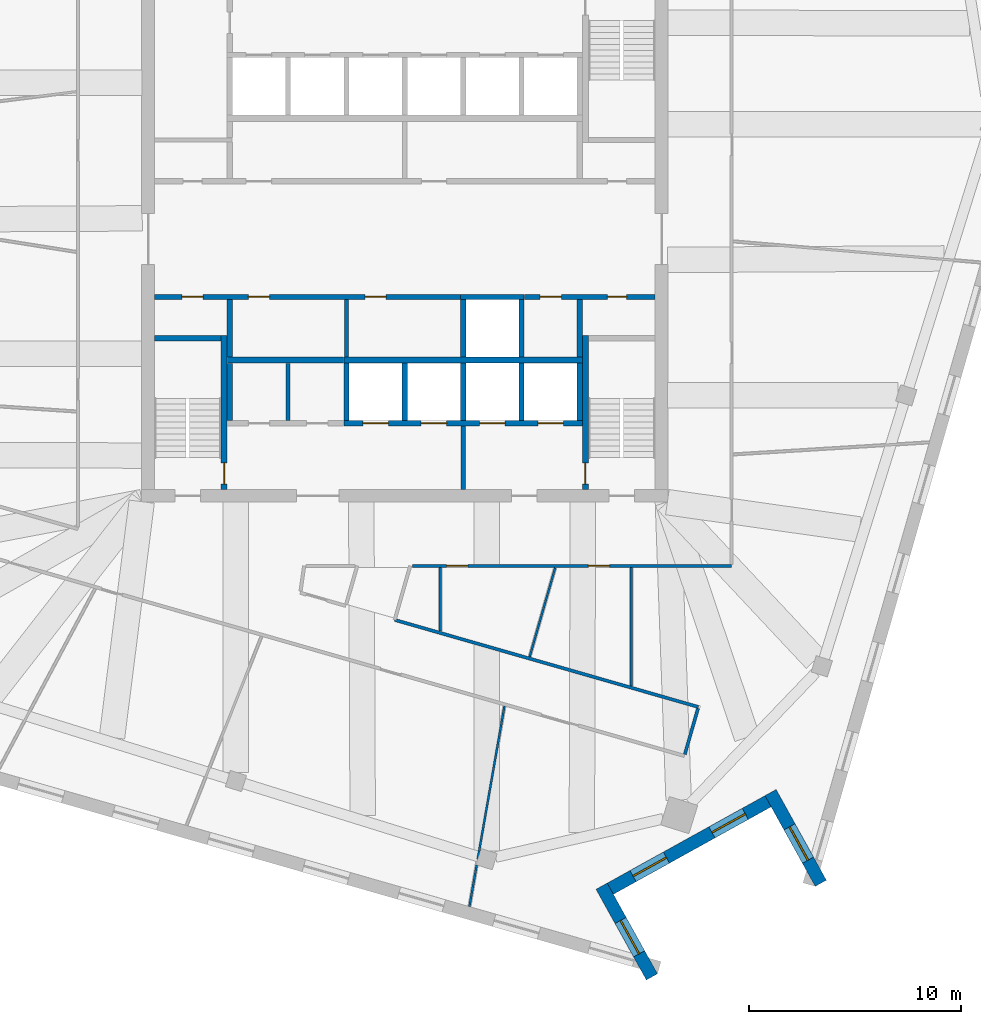
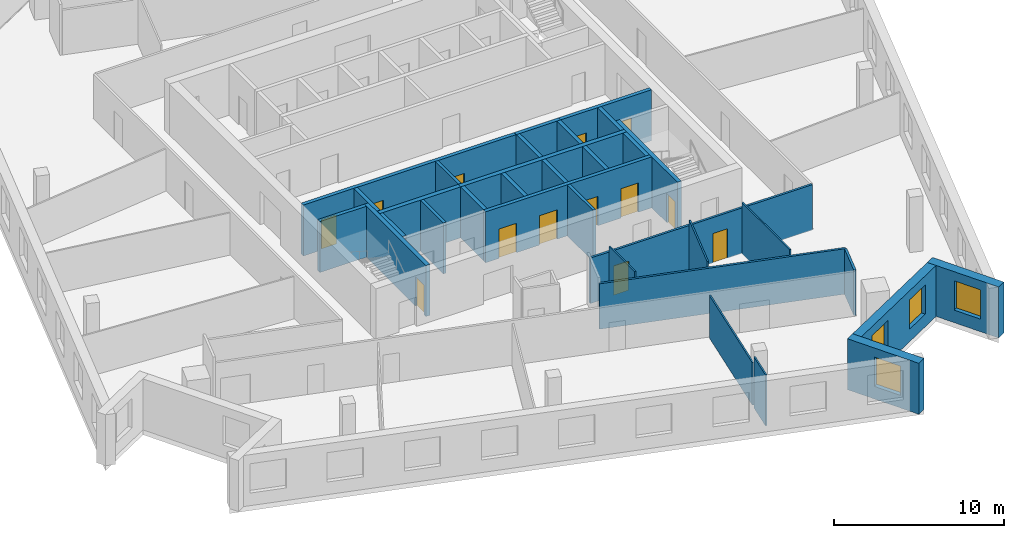
# One storey, part 8 of 15: 33 walls, 13 doors, 4 windows, 17 openings.
"""IFC4 building model written with IfcOpenShell, lengths in metres."""

from ifc_helpers import new_model, si_unit, direction, frame, frame_2d, origin, place, context, subcontext, project, spatial, rectangle, extrude, material, layer, layer_set, type_object, element, fill, save


model = new_model("IFC4")

# Units and contexts
model_context = context("Model", 3, precision=1e-05, world=origin(), true_north=direction((0.0, 1.0)))
body_context = subcontext(model_context, "Body", "Model", "MODEL_VIEW")
ifc_project = project(units=[si_unit("LENGTHUNIT", "METRE"), si_unit("AREAUNIT", "SQUARE_METRE"), si_unit("VOLUMEUNIT", "CUBIC_METRE"), si_unit("PLANEANGLEUNIT", "RADIAN"), si_unit("MASSUNIT", "GRAM", prefix="KILO")], contexts=[model_context])

# Site, building, storey
site_placement = place(None, origin())
site = spatial("IfcSite", under=ifc_project, at=site_placement, CompositionType="ELEMENT")
building_placement = place(site_placement, origin())
building = spatial("IfcBuilding", under=site, at=building_placement, Name="Dilmun Exchange Tower", CompositionType="ELEMENT")
storey_placement = place(building_placement, frame((0.0, 0.0, 324.5)))
storey = spatial("IfcBuildingStorey", under=building, at=storey_placement, Name="L77", CompositionType="ELEMENT", Elevation=324.5)

# Walls
ifc_material_1 = material(Name="Concrete C40/50", Category="concrete")
ifc_layer_1 = layer(ifc_material_1, 0.199951171875)
ifc_layer_set_1 = layer_set([ifc_layer_1], Name="Concrete C40/50")
wall_type_1 = type_object("IfcWallType", Name="Core partition wall 200", PredefinedType="PARTITIONING", material=ifc_layer_set_1)
wall_1_placement = place(storey_placement, frame((2.75, -11.794921875, 0.0), z_axis=(0.0, 0.0, 1.0), x_axis=(0.0, 1.0, 0.0)))
element("IfcWall", 1, at=wall_1_placement, inside=storey, type_object=wall_type_1, Name="L77 core partition wall 01", PredefinedType="PARTITIONING", context=body_context, shape_type="SweptSolid", body=[
    extrude(rectangle(XDim=2.989990234375, YDim=0.199951171875, at=frame_2d((1.4951171875, 0.0))), origin(), (0.0, 0.0, 1.0), 3.64990234375),
])
for number, where, z_axis, x_axis, name in (
    (2, (-5.5, -8.544921875, 0.0), (0.0, 0.0, 1.0), (0.0, 1.0, 0.0), "L77 core partition wall 04"),
    (3, (-2.75, -5.544921875, 0.0), (0.0, 0.0, 1.0), (0.0, 1.0, 0.0), "L77 core partition wall 07"),
):
    element("IfcWall", number, at=place(storey_placement, frame(where, z_axis=z_axis, x_axis=x_axis)), inside=storey, type_object=wall_type_1, Name=name, PredefinedType="PARTITIONING", context=body_context, shape_type="SweptSolid", body=[
        extrude(rectangle(XDim=2.68994140625, YDim=0.199951171875, at=frame_2d((1.344970703125, 0.0))), origin(), (0.0, 0.0, 1.0), 3.64990234375),
    ])
ifc_layer_2 = layer(ifc_material_1, 0.25)
ifc_layer_set_2 = layer_set([ifc_layer_2], Name="Concrete C40/50")
wall_type_2 = type_object("IfcWallType", Name="Core partition wall 250", PredefinedType="PARTITIONING", material=ifc_layer_set_2)
for number, where, z_axis, x_axis, name in (
    (4, (-8.25, -8.544921875, 0.0), (0.0, 0.0, 1.0), (0.0, 1.0, 0.0), "L77 core partition wall 03"),
    (5, (-8.25, -5.544921875, 0.0), (0.0, 0.0, 1.0), (0.0, 1.0, 0.0), "L77 core partition wall 06"),
    (6, (8.25, -5.544921875, 0.0), (0.0, 0.0, 1.0), (0.0, 1.0, 0.0), "L77 core partition wall 08"),
):
    element("IfcWall", number, at=place(storey_placement, frame(where, z_axis=z_axis, x_axis=x_axis)), inside=storey, type_object=wall_type_2, Name=name, PredefinedType="PARTITIONING", context=body_context, shape_type="SweptSolid", body=[
        extrude(rectangle(XDim=2.68994140625, YDim=0.25, at=frame_2d((1.344970703125, 0.0))), origin(), (0.0, 0.0, 1.0), 3.64990234375),
    ])

# Wall, openings, doors
wall_2_placement = place(storey_placement, frame((-11.794921875, -2.72509765625, 0.0), z_axis=(0.0, 0.0, 1.0), x_axis=(1.0, 0.0, 0.0)))
wall_2 = element("IfcWall", 7, at=wall_2_placement, inside=storey, type_object=wall_type_2, Name="L77 core partition wall 09", PredefinedType="PARTITIONING", context=body_context, shape_type="SweptSolid", body=[
    extrude(rectangle(XDim=14.4150390625, YDim=0.25, at=frame_2d((7.20751953125, 0.0))), origin(), (0.0, 0.0, 1.0), 3.64990234375),
])
opening_1_placement = place(wall_2_placement, frame((1.294921875, 0.0, 0.0)))
opening_1 = element("IfcOpeningElement", 8, at=opening_1_placement, cuts=wall_2, Name="Opening CD4", PredefinedType="OPENING", context=body_context, shape_type="SweptSolid", body=[
    extrude(rectangle(XDim=1.0, YDim=2.10009765625, at=frame_2d((0.5, 1.050048828125))), frame((0.0, 0.135009765625, 0.0), z_axis=(0.0, -1.0, 0.0), x_axis=(1.0, 0.0, 0.0)), (0.0, 0.0, 1.0), 0.27001953125),
])
opening_2_placement = place(wall_2_placement, frame((4.419921875, 0.0, 0.0)))
opening_2 = element("IfcOpeningElement", 9, at=opening_2_placement, cuts=wall_2, Name="Opening CD4", PredefinedType="OPENING", context=body_context, shape_type="SweptSolid", body=[
    extrude(rectangle(XDim=1.0, YDim=2.10009765625, at=frame_2d((0.5, 1.050048828125))), frame((0.0, 0.135009765625, 0.0), z_axis=(0.0, -1.0, 0.0), x_axis=(1.0, 0.0, 0.0)), (0.0, 0.0, 1.0), 0.27001953125),
])
opening_3_placement = place(wall_2_placement, frame((9.919921875, 0.0, 0.0)))
opening_3 = element("IfcOpeningElement", 10, at=opening_3_placement, cuts=wall_2, Name="Opening CD4", PredefinedType="OPENING", context=body_context, shape_type="SweptSolid", body=[
    extrude(rectangle(XDim=1.0, YDim=2.10009765625, at=frame_2d((0.5, 1.050048828125))), frame((0.0, 0.135009765625, 0.0), z_axis=(0.0, -1.0, 0.0), x_axis=(1.0, 0.0, 0.0)), (0.0, 0.0, 1.0), 0.27001953125),
])
ifc_material_2 = material(Name="Fire-rated steel door set", Category="steel")
door_type_1 = type_object("IfcDoorType", Name="Core room door 1000x2100", OperationType="SINGLE_SWING_LEFT", PredefinedType="DOOR", material=ifc_material_2)
door_1_placement = place(opening_1_placement, origin())
door_1 = element("IfcDoor", 11, at=door_1_placement, inside=storey, type_object=door_type_1, Name="L77 door Accessible WC", OperationType="SINGLE_SWING_RIGHT", OverallHeight=2.10009765625, OverallWidth=1.0, PredefinedType="DOOR", context=body_context, shape_type="SweptSolid", body=[
    extrude(rectangle(XDim=1.0, YDim=2.10009765625, at=frame_2d((0.5, 1.050048828125))), frame((0.0, 0.02490234375, 0.0), z_axis=(0.0, -1.0, 0.0), x_axis=(1.0, 0.0, 0.0)), (0.0, 0.0, 1.0), 0.050048828125),
])
fill(opening_1, door_1)
door_2_placement = place(opening_2_placement, origin())
door_2 = element("IfcDoor", 12, at=door_2_placement, inside=storey, type_object=door_type_1, Name="L77 door Mechanical room", OperationType="SINGLE_SWING_RIGHT", OverallHeight=2.10009765625, OverallWidth=1.0, PredefinedType="DOOR", context=body_context, shape_type="SweptSolid", body=[
    extrude(rectangle(XDim=1.0, YDim=2.10009765625, at=frame_2d((0.5, 1.050048828125))), frame((0.0, 0.02490234375, 0.0), z_axis=(0.0, -1.0, 0.0), x_axis=(1.0, 0.0, 0.0)), (0.0, 0.0, 1.0), 0.050048828125),
])
fill(opening_2, door_2)
door_3_placement = place(opening_3_placement, origin())
door_3 = element("IfcDoor", 13, at=door_3_placement, inside=storey, type_object=door_type_1, Name="L77 door Tenant services room", OperationType="SINGLE_SWING_RIGHT", OverallHeight=2.10009765625, OverallWidth=1.0, PredefinedType="DOOR", context=body_context, shape_type="SweptSolid", body=[
    extrude(rectangle(XDim=1.0, YDim=2.10009765625, at=frame_2d((0.5, 1.050048828125))), frame((0.0, 0.02490234375, 0.0), z_axis=(0.0, -1.0, 0.0), x_axis=(1.0, 0.0, 0.0)), (0.0, 0.0, 1.0), 0.050048828125),
])
fill(opening_3, door_3)

wall_3_placement = place(storey_placement, frame((5.6298828125, -2.72509765625, 0.0), z_axis=(0.0, 0.0, 1.0), x_axis=(1.0, 0.0, 0.0)))
wall_3 = element("IfcWall", 14, at=wall_3_placement, inside=storey, type_object=wall_type_2, Name="L77 core partition wall 10", PredefinedType="PARTITIONING", context=body_context, shape_type="SweptSolid", body=[
    extrude(rectangle(XDim=6.1650390625, YDim=0.25, at=frame_2d((3.08251953125, 0.0))), origin(), (0.0, 0.0, 1.0), 3.64990234375),
])
opening_4_placement = place(wall_3_placement, frame((0.7451171875, 0.0, 0.0)))
opening_4 = element("IfcOpeningElement", 15, at=opening_4_placement, cuts=wall_3, Name="Opening CD4", PredefinedType="OPENING", context=body_context, shape_type="SweptSolid", body=[
    extrude(rectangle(XDim=1.0, YDim=2.10009765625, at=frame_2d((0.5, 1.050048828125))), frame((0.0, 0.135009765625, 0.0), z_axis=(0.0, -1.0, 0.0), x_axis=(1.0, 0.0, 0.0)), (0.0, 0.0, 1.0), 0.27001953125),
])
opening_5_placement = place(wall_3_placement, frame((3.919921875, 0.0, 0.0)))
opening_5 = element("IfcOpeningElement", 16, at=opening_5_placement, cuts=wall_3, Name="Opening CD6", PredefinedType="OPENING", context=body_context, shape_type="SweptSolid", body=[
    extrude(rectangle(XDim=0.89990234375, YDim=2.10009765625, at=frame_2d((0.449951171875, 1.050048828125))), frame((0.0, 0.135009765625, 0.0), z_axis=(0.0, -1.0, 0.0), x_axis=(1.0, 0.0, 0.0)), (0.0, 0.0, 1.0), 0.27001953125),
])
door_4_placement = place(opening_4_placement, origin())
door_4 = element("IfcDoor", 17, at=door_4_placement, inside=storey, type_object=door_type_1, Name="L77 door Cleaners' store", OperationType="SINGLE_SWING_RIGHT", OverallHeight=2.10009765625, OverallWidth=1.0, PredefinedType="DOOR", context=body_context, shape_type="SweptSolid", body=[
    extrude(rectangle(XDim=1.0, YDim=2.10009765625, at=frame_2d((0.5, 1.050048828125))), frame((0.0, 0.02490234375, 0.0), z_axis=(0.0, -1.0, 0.0), x_axis=(1.0, 0.0, 0.0)), (0.0, 0.0, 1.0), 0.050048828125),
])
fill(opening_4, door_4)
door_type_2 = type_object("IfcDoorType", Name="Core room door 900x2100", OperationType="SINGLE_SWING_LEFT", PredefinedType="DOOR", material=ifc_material_2)
door_5_placement = place(opening_5_placement, origin())
door_5 = element("IfcDoor", 18, at=door_5_placement, inside=storey, type_object=door_type_2, Name="L77 door Comms riser", OperationType="SINGLE_SWING_RIGHT", OverallHeight=2.10009765625, OverallWidth=0.89990234375, PredefinedType="DOOR", context=body_context, shape_type="SweptSolid", body=[
    extrude(rectangle(XDim=0.89990234375, YDim=2.10009765625, at=frame_2d((0.449951171875, 1.050048828125))), frame((0.0, 0.02490234375, 0.0), z_axis=(0.0, -1.0, 0.0), x_axis=(1.0, 0.0, 0.0)), (0.0, 0.0, 1.0), 0.050048828125),
])
fill(opening_5, door_5)

# Walls
ifc_layer_3 = layer(ifc_material_1, 0.300048828125)
ifc_layer_set_3 = layer_set([ifc_layer_3], Name="Concrete C40/50")
wall_type_3 = type_object("IfcWallType", Name="Core partition wall 300", PredefinedType="PARTITIONING", material=ifc_layer_set_3)
wall_4_placement = place(storey_placement, frame((-8.35009765625, -5.699951171875, 0.0), z_axis=(0.0, 0.0, 1.0), x_axis=(1.0, 0.0, 0.0)))
element("IfcWall", 19, at=wall_4_placement, inside=storey, type_object=wall_type_3, Name="L77 core partition wall 05", PredefinedType="PARTITIONING", context=body_context, shape_type="SweptSolid", body=[
    extrude(rectangle(XDim=5.47021484375, YDim=0.300048828125, at=frame_2d((2.735107421875, 0.0))), origin(), (0.0, 0.0, 1.0), 3.64990234375),
])
ifc_material_3 = material(Name="Corridor wall 150")
ifc_layer_4 = layer(ifc_material_3, 0.14990234375)
ifc_layer_set_4 = layer_set([ifc_layer_4], Name="Corridor wall 150")
wall_type_4 = type_object("IfcWallType", Name="Corridor wall 150", PredefinedType="PARTITIONING", material=ifc_layer_set_4)
wall_5_placement = place(storey_placement, frame((-0.47509765625, -17.945068359375, 0.0), z_axis=(0.0, 0.0, 1.0), x_axis=(0.9612723016, -0.275600366793, 0.0)))
element("IfcWall", 20, at=wall_5_placement, inside=storey, type_object=wall_type_4, Name="Corridor wall", PredefinedType="PARTITIONING", context=body_context, shape_type="SweptSolid", body=[
    extrude(rectangle(XDim=14.8876953125, YDim=0.14990234375, at=frame_2d((7.44384765625, 0.0))), origin(), (0.0, 0.0, 1.0), 3.25),
])

# Wall, openings, doors
wall_6_placement = place(storey_placement, frame((0.3544921875, -15.39990234375, 0.0), z_axis=(0.0, 0.0, 1.0), x_axis=(1.0, 0.0, 0.0)))
wall_6 = element("IfcWall", 21, at=wall_6_placement, inside=storey, type_object=wall_type_4, Name="Corridor wall", PredefinedType="PARTITIONING", context=body_context, shape_type="SweptSolid", body=[
    extrude(rectangle(XDim=15.04541015625, YDim=0.14990234375, at=frame_2d((7.522705078125, 0.0))), origin(), (0.0, 0.0, 1.0), 3.25),
])
opening_6_placement = place(wall_6_placement, frame((1.615966796875, 0.0, 0.0)))
opening_6 = element("IfcOpeningElement", 22, at=opening_6_placement, cuts=wall_6, Name="Opening TF77-D11", PredefinedType="OPENING", context=body_context, shape_type="SweptSolid", body=[
    extrude(rectangle(XDim=1.0, YDim=2.10009765625, at=frame_2d((0.5, 1.050048828125))), frame((0.0, 0.0849609375, 0.0), z_axis=(0.0, -1.0, 0.0), x_axis=(1.0, 0.0, 0.0)), (0.0, 0.0, 1.0), 0.169921875),
])
opening_7_placement = place(wall_6_placement, frame((8.29541015625, 0.0, 0.0)))
opening_7 = element("IfcOpeningElement", 23, at=opening_7_placement, cuts=wall_6, Name="Opening TF77-D13", PredefinedType="OPENING", context=body_context, shape_type="SweptSolid", body=[
    extrude(rectangle(XDim=1.0, YDim=2.10009765625, at=frame_2d((0.5, 1.050048828125))), frame((0.0, 0.0849609375, 0.0), z_axis=(0.0, -1.0, 0.0), x_axis=(1.0, 0.0, 0.0)), (0.0, 0.0, 1.0), 0.169921875),
])
ifc_material_4 = material(Name="Fire door 1000 x 2100")
door_type_3 = type_object("IfcDoorType", Name="Fire door 1000 x 2100", OperationType="NOTDEFINED", PredefinedType="DOOR", material=ifc_material_4)
door_6_placement = place(opening_6_placement, frame((1.0, 0.0, 0.0), z_axis=(0.0, 0.0, 1.0), x_axis=(-1.0, 0.0, 0.0)))
door_6 = element("IfcDoor", 24, at=door_6_placement, inside=storey, type_object=door_type_3, Name="Door TF77-D11", OperationType="SINGLE_SWING_RIGHT", OverallHeight=2.10009765625, OverallWidth=1.0, PredefinedType="DOOR", context=body_context, shape_type="SweptSolid", body=[
    extrude(rectangle(XDim=1.0, YDim=2.10009765625, at=frame_2d((0.5, 1.050048828125))), frame((0.0, 0.02490234375, 0.0), z_axis=(0.0, -1.0, 0.0), x_axis=(1.0, 0.0, 0.0)), (0.0, 0.0, 1.0), 0.050048828125),
])
fill(opening_6, door_6)
door_7_placement = place(opening_7_placement, frame((1.0, 0.0, 0.0), z_axis=(0.0, 0.0, 1.0), x_axis=(-1.0, 0.0, 0.0)))
door_7 = element("IfcDoor", 25, at=door_7_placement, inside=storey, type_object=door_type_3, Name="Door TF77-D13", OperationType="SINGLE_SWING_RIGHT", OverallHeight=2.10009765625, OverallWidth=1.0, PredefinedType="DOOR", context=body_context, shape_type="SweptSolid", body=[
    extrude(rectangle(XDim=1.0, YDim=2.10009765625, at=frame_2d((0.5, 1.050048828125))), frame((0.0, 0.02490234375, 0.0), z_axis=(0.0, -1.0, 0.0), x_axis=(1.0, 0.0, 0.0)), (0.0, 0.0, 1.0), 0.050048828125),
])
fill(opening_7, door_7)

# Walls
wall_7_placement = place(storey_placement, frame((13.19580078125, -24.282958984375, 0.0), z_axis=(0.0, 0.0, 1.0), x_axis=(0.27530870869, 0.961355873191, 0.0)))
element("IfcWall", 26, at=wall_7_placement, inside=storey, type_object=wall_type_4, Name="Corridor wall", PredefinedType="PARTITIONING", context=body_context, shape_type="SweptSolid", body=[
    extrude(rectangle(XDim=2.249755859375, YDim=0.14990234375, at=frame_2d((1.125, 0.0))), origin(), (0.0, 0.0, 1.0), 3.25),
])
ifc_layer_5 = layer(ifc_material_1, 0.300048828125)
ifc_layer_set_5 = layer_set([ifc_layer_5], Name="Concrete C40/50")
wall_type_5 = type_object("IfcWallType", Name="Lift shaft shared wall 300", PredefinedType="SOLIDWALL", material=ifc_layer_set_5)
wall_8_placement = place(storey_placement, frame((-2.875, -5.699951171875, 0.0), z_axis=(0.0, 0.0, 1.0), x_axis=(1.0, 0.0, 0.0)))
element("IfcWall", 27, at=wall_8_placement, inside=storey, type_object=wall_type_5, Name="L77 lift shaft rear wall S", PredefinedType="SOLIDWALL", context=body_context, shape_type="SweptSolid", body=[
    extrude(rectangle(XDim=11.25, YDim=0.300048828125, at=frame_2d((5.625, 0.0))), origin(), (0.0, 0.0, 1.0), 3.64990234375),
])
ifc_layer_6 = layer(ifc_material_1, 0.25)
ifc_layer_set_6 = layer_set([ifc_layer_6], Name="Concrete C40/50")
wall_type_6 = type_object("IfcWallType", Name="Lift shaft wall 250", PredefinedType="SOLIDWALL", material=ifc_layer_set_6)
wall_9_placement = place(storey_placement, frame((2.625, -2.72509765625, 0.0), z_axis=(0.0, 0.0, 1.0), x_axis=(1.0, 0.0, 0.0)))
element("IfcWall", 28, at=wall_9_placement, inside=storey, type_object=wall_type_6, Name="L77 lift shaft front wall S1", PredefinedType="SOLIDWALL", context=body_context, shape_type="SweptSolid", body=[
    extrude(rectangle(XDim=3.0, YDim=0.25, at=frame_2d((1.5, 0.0))), origin(), (0.0, 0.0, 1.0), 3.64990234375),
])
for number, where, z_axis, x_axis, name in (
    (29, (2.75, -5.550048828125, 0.0), (0.0, 0.0, 1.0), (0.0, 1.0, 0.0), "L77 lift shaft divider S14"),
    (30, (5.5, -5.550048828125, 0.0), (0.0, 0.0, 1.0), (0.0, 1.0, 0.0), "L77 lift shaft divider S15"),
):
    element("IfcWall", number, at=place(storey_placement, frame(where, z_axis=z_axis, x_axis=x_axis)), inside=storey, type_object=wall_type_6, Name=name, PredefinedType="SOLIDWALL", context=body_context, shape_type="SweptSolid", body=[
        extrude(rectangle(XDim=2.699951171875, YDim=0.25, at=frame_2d((1.35009765625, 0.0))), origin(), (0.0, 0.0, 1.0), 3.64990234375),
    ])

# Wall, openings, doors
wall_10_placement = place(storey_placement, frame((-2.875, -8.675048828125, 0.0), z_axis=(0.0, 0.0, 1.0), x_axis=(1.0, 0.0, 0.0)))
wall_10 = element("IfcWall", 31, at=wall_10_placement, inside=storey, type_object=wall_type_6, Name="L77 lift shaft front wall S2", PredefinedType="SOLIDWALL", context=body_context, shape_type="SweptSolid", body=[
    extrude(rectangle(XDim=11.25, YDim=0.25, at=frame_2d((5.625, 0.0))), origin(), (0.0, 0.0, 1.0), 3.64990234375),
])
opening_8_placement = place(wall_10_placement, frame((0.89990234375, 0.0, 0.0)))
opening_8 = element("IfcOpeningElement", 32, at=opening_8_placement, cuts=wall_10, Name="Opening LD", PredefinedType="OPENING", context=body_context, shape_type="SweptSolid", body=[
    extrude(rectangle(XDim=1.199951171875, YDim=2.10009765625, at=frame_2d((0.60009765625, 1.050048828125))), frame((0.0, 0.135009765625, 0.0), z_axis=(0.0, -1.0, 0.0), x_axis=(1.0, 0.0, 0.0)), (0.0, 0.0, 1.0), 0.27001953125),
])
opening_9_placement = place(wall_10_placement, frame((3.64990234375, 0.0, 0.0)))
opening_9 = element("IfcOpeningElement", 33, at=opening_9_placement, cuts=wall_10, Name="Opening LD", PredefinedType="OPENING", context=body_context, shape_type="SweptSolid", body=[
    extrude(rectangle(XDim=1.199951171875, YDim=2.10009765625, at=frame_2d((0.60009765625, 1.050048828125))), frame((0.0, 0.135009765625, 0.0), z_axis=(0.0, -1.0, 0.0), x_axis=(1.0, 0.0, 0.0)), (0.0, 0.0, 1.0), 0.27001953125),
])
opening_10_placement = place(wall_10_placement, frame((6.39990234375, 0.0, 0.0)))
opening_10 = element("IfcOpeningElement", 34, at=opening_10_placement, cuts=wall_10, Name="Opening LD", PredefinedType="OPENING", context=body_context, shape_type="SweptSolid", body=[
    extrude(rectangle(XDim=1.199951171875, YDim=2.10009765625, at=frame_2d((0.60009765625, 1.050048828125))), frame((0.0, 0.135009765625, 0.0), z_axis=(0.0, -1.0, 0.0), x_axis=(1.0, 0.0, 0.0)), (0.0, 0.0, 1.0), 0.27001953125),
])
opening_11_placement = place(wall_10_placement, frame((9.14990234375, 0.0, 0.0)))
opening_11 = element("IfcOpeningElement", 35, at=opening_11_placement, cuts=wall_10, Name="Opening LD", PredefinedType="OPENING", context=body_context, shape_type="SweptSolid", body=[
    extrude(rectangle(XDim=1.199951171875, YDim=2.10009765625, at=frame_2d((0.60009765625, 1.050048828125))), frame((0.0, 0.135009765625, 0.0), z_axis=(0.0, -1.0, 0.0), x_axis=(1.0, 0.0, 0.0)), (0.0, 0.0, 1.0), 0.27001953125),
])
door_type_4 = type_object("IfcDoorType", Name="Lift landing door 1200x2100", OperationType="DOUBLE_DOOR_SLIDING", PredefinedType="DOOR", material=ifc_material_2)
door_8_placement = place(opening_8_placement, origin())
door_8 = element("IfcDoor", 36, at=door_8_placement, inside=storey, type_object=door_type_4, Name="L77 landing door SV1", OperationType="DOUBLE_DOOR_SLIDING", OverallHeight=2.10009765625, OverallWidth=1.199951171875, PredefinedType="DOOR", context=body_context, shape_type="SweptSolid", body=[
    extrude(rectangle(XDim=1.199951171875, YDim=2.10009765625, at=frame_2d((0.60009765625, 1.050048828125))), frame((0.0, 0.02490234375, 0.0), z_axis=(0.0, -1.0, 0.0), x_axis=(1.0, 0.0, 0.0)), (0.0, 0.0, 1.0), 0.050048828125),
])
fill(opening_8, door_8)
door_9_placement = place(opening_9_placement, origin())
door_9 = element("IfcDoor", 37, at=door_9_placement, inside=storey, type_object=door_type_4, Name="L77 landing door SV2", OperationType="DOUBLE_DOOR_SLIDING", OverallHeight=2.10009765625, OverallWidth=1.199951171875, PredefinedType="DOOR", context=body_context, shape_type="SweptSolid", body=[
    extrude(rectangle(XDim=1.199951171875, YDim=2.10009765625, at=frame_2d((0.60009765625, 1.050048828125))), frame((0.0, 0.02490234375, 0.0), z_axis=(0.0, -1.0, 0.0), x_axis=(1.0, 0.0, 0.0)), (0.0, 0.0, 1.0), 0.050048828125),
])
fill(opening_9, door_9)
door_10_placement = place(opening_10_placement, origin())
door_10 = element("IfcDoor", 38, at=door_10_placement, inside=storey, type_object=door_type_4, Name="L77 landing door FF1", OperationType="DOUBLE_DOOR_SLIDING", OverallHeight=2.10009765625, OverallWidth=1.199951171875, PredefinedType="DOOR", context=body_context, shape_type="SweptSolid", body=[
    extrude(rectangle(XDim=1.199951171875, YDim=2.10009765625, at=frame_2d((0.60009765625, 1.050048828125))), frame((0.0, 0.02490234375, 0.0), z_axis=(0.0, -1.0, 0.0), x_axis=(1.0, 0.0, 0.0)), (0.0, 0.0, 1.0), 0.050048828125),
])
fill(opening_10, door_10)
door_11_placement = place(opening_11_placement, origin())
door_11 = element("IfcDoor", 39, at=door_11_placement, inside=storey, type_object=door_type_4, Name="L77 landing door FF2", OperationType="DOUBLE_DOOR_SLIDING", OverallHeight=2.10009765625, OverallWidth=1.199951171875, PredefinedType="DOOR", context=body_context, shape_type="SweptSolid", body=[
    extrude(rectangle(XDim=1.199951171875, YDim=2.10009765625, at=frame_2d((0.60009765625, 1.050048828125))), frame((0.0, 0.02490234375, 0.0), z_axis=(0.0, -1.0, 0.0), x_axis=(1.0, 0.0, 0.0)), (0.0, 0.0, 1.0), 0.050048828125),
])
fill(opening_11, door_11)

# Walls
for number, where, z_axis, x_axis, name in (
    (40, (-2.75, -8.550048828125, 0.0), (0.0, 0.0, 1.0), (0.0, 1.0, 0.0), "L77 lift shaft divider S22"),
    (41, (0.0, -8.550048828125, 0.0), (0.0, 0.0, 1.0), (0.0, 1.0, 0.0), "L77 lift shaft divider S23"),
    (42, (2.75, -8.550048828125, 0.0), (0.0, 0.0, 1.0), (0.0, 1.0, 0.0), "L77 lift shaft divider S24"),
    (43, (5.5, -8.550048828125, 0.0), (0.0, 0.0, 1.0), (0.0, 1.0, 0.0), "L77 lift shaft divider S25"),
    (44, (8.25, -8.550048828125, 0.0), (0.0, 0.0, 1.0), (0.0, 1.0, 0.0), "L77 lift shaft divider S26"),
):
    element("IfcWall", number, at=place(storey_placement, frame(where, z_axis=z_axis, x_axis=x_axis)), inside=storey, type_object=wall_type_6, Name=name, PredefinedType="SOLIDWALL", context=body_context, shape_type="SweptSolid", body=[
        extrude(rectangle(XDim=2.699951171875, YDim=0.25, at=frame_2d((1.35009765625, 0.0))), origin(), (0.0, 0.0, 1.0), 3.64990234375),
    ])
ifc_material_5 = material(Name="Partition 100")
ifc_layer_7 = layer(ifc_material_5, 0.10009765625)
ifc_layer_set_7 = layer_set([ifc_layer_7], Name="Partition 100")
wall_type_7 = type_object("IfcWallType", Name="Partition 100", PredefinedType="PARTITIONING", material=ifc_layer_set_7)
wall_11_placement = place(storey_placement, frame((1.669921875, -18.466796875, 0.0), z_axis=(0.0, 0.0, 1.0), x_axis=(0.0, 1.0, 0.0)))
element("IfcWall", 45, at=wall_11_placement, inside=storey, type_object=wall_type_7, Name="Partition", PredefinedType="PARTITIONING", context=body_context, shape_type="SweptSolid", body=[
    extrude(rectangle(XDim=2.99169921875, YDim=0.10009765625, at=frame_2d((1.495849609375, 0.0))), origin(), (0.0, 0.0, 1.0), 3.64990234375),
])
wall_12_placement = place(storey_placement, frame((3.045166015625, -31.455810546875, 0.0), z_axis=(0.0, 0.0, 1.0), x_axis=(0.172163344144, 0.985068415357, 0.0)))
element("IfcWall", 46, at=wall_12_placement, inside=storey, type_object=wall_type_7, Name="Partition", PredefinedType="PARTITIONING", context=body_context, shape_type="SweptSolid", body=[
    extrude(rectangle(XDim=1.992431640625, YDim=0.10009765625, at=frame_2d((0.99609375, 0.0))), origin(), (0.0, 0.0, 1.0), 3.64990234375),
])
wall_13_placement = place(storey_placement, frame((3.434326171875, -29.228759765625, 0.0), z_axis=(0.0, 0.0, 1.0), x_axis=(0.172116960566, 0.985076520827, 0.0)))
element("IfcWall", 47, at=wall_13_placement, inside=storey, type_object=wall_type_7, Name="Partition", PredefinedType="PARTITIONING", context=body_context, shape_type="SweptSolid", body=[
    extrude(rectangle(XDim=7.33056640625, YDim=0.10009765625, at=frame_2d((3.665283203125, 0.0))), origin(), (0.0, 0.0, 1.0), 3.050048828125),
])
wall_14_placement = place(storey_placement, frame((5.881591796875, -19.68896484375, 0.0), z_axis=(0.0, 0.0, 1.0), x_axis=(0.275577071069, 0.961278980266, 0.0)))
element("IfcWall", 48, at=wall_14_placement, inside=storey, type_object=wall_type_7, Name="Partition", PredefinedType="PARTITIONING", context=body_context, shape_type="SweptSolid", body=[
    extrude(rectangle(XDim=4.369384765625, YDim=0.10009765625, at=frame_2d((2.1845703125, 0.0))), origin(), (0.0, 0.0, 1.0), 3.64990234375),
])
wall_15_placement = place(storey_placement, frame((10.6689453125, -21.047607421875, 0.0), z_axis=(0.0, 0.0, 1.0), x_axis=(0.0, 1.0, 0.0)))
element("IfcWall", 49, at=wall_15_placement, inside=storey, type_object=wall_type_7, Name="Partition", PredefinedType="PARTITIONING", context=body_context, shape_type="SweptSolid", body=[
    extrude(rectangle(XDim=5.572509765625, YDim=0.10009765625, at=frame_2d((2.7861328125, 0.0))), origin(), (0.0, 0.0, 1.0), 3.64990234375),
])

# Wall, opening, window
ifc_material_6 = material(Name="Precast concrete C50/60", Category="concrete")
ifc_layer_8 = layer(ifc_material_6, 0.60009765625)
ifc_layer_set_8 = layer_set([ifc_layer_8], Name="Precast concrete C50/60")
wall_type_8 = type_object("IfcWallType", Name="Precast stone-clad wall 600", PredefinedType="STANDARD", material=ifc_layer_set_8)
wall_16_placement = place(storey_placement, frame((11.64501953125, -34.768798828125, 0.0), z_axis=(0.0, 0.0, 1.0), x_axis=(-0.48482808285, 0.874609472896, 0.0)))
wall_16 = element("IfcWall", 50, at=wall_16_placement, inside=storey, type_object=wall_type_8, Name="Facade wall L77-08", PredefinedType="STANDARD", context=body_context, shape_type="SweptSolid", body=[
    extrude(rectangle(XDim=4.885498046875, YDim=0.60009765625, at=frame_2d((2.44287109375, 0.0))), origin(), (0.0, 0.0, 1.0), 3.64990234375),
])
opening_12_placement = place(wall_16_placement, frame((1.242919921875, 0.0, 0.89990234375)))
opening_12 = element("IfcOpeningElement", 51, at=opening_12_placement, cuts=wall_16, Name="Opening W180-210", PredefinedType="OPENING", context=body_context, shape_type="SweptSolid", body=[
    extrude(rectangle(XDim=1.800048828125, YDim=2.10009765625, at=frame_2d((0.89990234375, 1.050048828125))), frame((0.0, 0.31005859375, 0.0), z_axis=(0.0, -1.0, 0.0), x_axis=(1.0, 0.0, 0.0)), (0.0, 0.0, 1.0), 0.6201171875),
])
ifc_material_7 = material(Name="Clear low-emissivity glass in aluminium frame", Category="aluminium")
window_type = type_object("IfcWindowType", Name="Punched window 1800 x 2100", PartitioningType="DOUBLE_PANEL_VERTICAL", PredefinedType="WINDOW", material=ifc_material_7)
window_1_placement = place(opening_12_placement, origin())
window_1 = element("IfcWindow", 52, at=window_1_placement, inside=storey, type_object=window_type, Name="Window 9.1", OverallHeight=2.10009765625, OverallWidth=1.800048828125, PartitioningType="SINGLE_PANEL", PredefinedType="WINDOW", context=body_context, shape_type="SweptSolid", body=[
    extrude(rectangle(XDim=1.800048828125, YDim=2.10009765625, at=frame_2d((0.89990234375, 1.050048828125))), frame((0.0, 0.030029296875, 0.0), z_axis=(0.0, -1.0, 0.0), x_axis=(1.0, 0.0, 0.0)), (0.0, 0.0, 1.0), 0.06005859375),
])
fill(opening_12, window_1)

# Wall, openings, windows
wall_17_placement = place(storey_placement, frame((9.684326171875, -30.61279296875, 0.0), z_axis=(0.0, 0.0, 1.0), x_axis=(0.874616182644, 0.48481597855, 0.0)))
wall_17 = element("IfcWall", 53, at=wall_17_placement, inside=storey, type_object=wall_type_8, Name="Facade wall L77-09", PredefinedType="STANDARD", context=body_context, shape_type="SweptSolid", body=[
    extrude(rectangle(XDim=8.499755859375, YDim=0.60009765625, at=frame_2d((4.25, 0.0))), origin(), (0.0, 0.0, 1.0), 3.64990234375),
])
opening_13_placement = place(wall_17_placement, frame((1.22509765625, 0.0, 0.89990234375)))
opening_13 = element("IfcOpeningElement", 54, at=opening_13_placement, cuts=wall_17, Name="Opening W180-210", PredefinedType="OPENING", context=body_context, shape_type="SweptSolid", body=[
    extrude(rectangle(XDim=1.800048828125, YDim=2.10009765625, at=frame_2d((0.89990234375, 1.050048828125))), frame((0.0, 0.31005859375, 0.0), z_axis=(0.0, -1.0, 0.0), x_axis=(1.0, 0.0, 0.0)), (0.0, 0.0, 1.0), 0.6201171875),
])
opening_14_placement = place(wall_17_placement, frame((5.47509765625, 0.0, 0.89990234375)))
opening_14 = element("IfcOpeningElement", 55, at=opening_14_placement, cuts=wall_17, Name="Opening W180-210", PredefinedType="OPENING", context=body_context, shape_type="SweptSolid", body=[
    extrude(rectangle(XDim=1.800048828125, YDim=2.10009765625, at=frame_2d((0.89990234375, 1.050048828125))), frame((0.0, 0.31005859375, 0.0), z_axis=(0.0, -1.0, 0.0), x_axis=(1.0, 0.0, 0.0)), (0.0, 0.0, 1.0), 0.6201171875),
])
window_2_placement = place(opening_13_placement, origin())
window_2 = element("IfcWindow", 56, at=window_2_placement, inside=storey, type_object=window_type, Name="Window 10.1", OverallHeight=2.10009765625, OverallWidth=1.800048828125, PartitioningType="SINGLE_PANEL", PredefinedType="WINDOW", context=body_context, shape_type="SweptSolid", body=[
    extrude(rectangle(XDim=1.800048828125, YDim=2.10009765625, at=frame_2d((0.89990234375, 1.050048828125))), frame((0.0, 0.030029296875, 0.0), z_axis=(0.0, -1.0, 0.0), x_axis=(1.0, 0.0, 0.0)), (0.0, 0.0, 1.0), 0.06005859375),
])
fill(opening_13, window_2)
window_3_placement = place(opening_14_placement, origin())
window_3 = element("IfcWindow", 57, at=window_3_placement, inside=storey, type_object=window_type, Name="Window 10.2", OverallHeight=2.10009765625, OverallWidth=1.800048828125, PartitioningType="SINGLE_PANEL", PredefinedType="WINDOW", context=body_context, shape_type="SweptSolid", body=[
    extrude(rectangle(XDim=1.800048828125, YDim=2.10009765625, at=frame_2d((0.89990234375, 1.050048828125))), frame((0.0, 0.030029296875, 0.0), z_axis=(0.0, -1.0, 0.0), x_axis=(1.0, 0.0, 0.0)), (0.0, 0.0, 1.0), 0.06005859375),
])
fill(opening_14, window_3)

# Wall, opening, window
wall_18_placement = place(storey_placement, frame((17.235595703125, -26.083984375, 0.0), z_axis=(0.0, 0.0, 1.0), x_axis=(0.484789855813, -0.874630662452, 0.0)))
wall_18 = element("IfcWall", 58, at=wall_18_placement, inside=storey, type_object=wall_type_8, Name="Facade wall L77-10", PredefinedType="STANDARD", context=body_context, shape_type="SweptSolid", body=[
    extrude(rectangle(XDim=4.885498046875, YDim=0.60009765625, at=frame_2d((2.44287109375, 0.0))), origin(), (0.0, 0.0, 1.0), 3.64990234375),
])
opening_15_placement = place(wall_18_placement, frame((1.8427734375, 0.0, 0.89990234375)))
opening_15 = element("IfcOpeningElement", 59, at=opening_15_placement, cuts=wall_18, Name="Opening W180-210", PredefinedType="OPENING", context=body_context, shape_type="SweptSolid", body=[
    extrude(rectangle(XDim=1.800048828125, YDim=2.10009765625, at=frame_2d((0.89990234375, 1.050048828125))), frame((0.0, 0.31005859375, 0.0), z_axis=(0.0, -1.0, 0.0), x_axis=(1.0, 0.0, 0.0)), (0.0, 0.0, 1.0), 0.6201171875),
])
window_4_placement = place(opening_15_placement, origin())
window_4 = element("IfcWindow", 60, at=window_4_placement, inside=storey, type_object=window_type, Name="Window 11.1", OverallHeight=2.10009765625, OverallWidth=1.800048828125, PartitioningType="SINGLE_PANEL", PredefinedType="WINDOW", context=body_context, shape_type="SweptSolid", body=[
    extrude(rectangle(XDim=1.800048828125, YDim=2.10009765625, at=frame_2d((0.89990234375, 1.050048828125))), frame((0.0, 0.030029296875, 0.0), z_axis=(0.0, -1.0, 0.0), x_axis=(1.0, 0.0, 0.0)), (0.0, 0.0, 1.0), 0.06005859375),
])
fill(opening_15, window_4)

# Wall
ifc_layer_9 = layer(ifc_material_1, 0.25)
ifc_layer_set_9 = layer_set([ifc_layer_9], Name="Concrete C40/50")
wall_type_9 = type_object("IfcWallType", Name="Stair end wall 250", PredefinedType="SOLIDWALL", material=ifc_layer_set_9)
wall_19_placement = place(storey_placement, frame((-8.64990234375, -4.675048828125, 0.0), z_axis=(0.0, 0.0, 1.0), x_axis=(-1.0, 0.0, 0.0)))
element("IfcWall", 61, at=wall_19_placement, inside=storey, type_object=wall_type_9, Name="L77 ST2 far wall", PredefinedType="SOLIDWALL", context=body_context, shape_type="SweptSolid", body=[
    extrude(rectangle(XDim=3.150146484375, YDim=0.25, at=frame_2d((1.5751953125, 0.0))), origin(), (0.0, 0.0, 1.0), 3.64990234375),
])

# Wall, opening, door
ifc_layer_10 = layer(ifc_material_1, 0.27490234375)
ifc_layer_set_10 = layer_set([ifc_layer_10], Name="Concrete C40/50")
wall_type_10 = type_object("IfcWallType", Name="Stair wall 275", PredefinedType="SOLIDWALL", material=ifc_layer_set_10)
wall_20_placement = place(storey_placement, frame((-8.512451171875, -4.550048828125, 0.0), z_axis=(0.0, 0.0, 1.0), x_axis=(0.0, -1.0, 0.0)))
wall_20 = element("IfcWall", 62, at=wall_20_placement, inside=storey, type_object=wall_type_10, Name="L77 ST2 wall to lift block", PredefinedType="SOLIDWALL", context=body_context, shape_type="SweptSolid", body=[
    extrude(rectangle(XDim=7.25, YDim=0.27490234375, at=frame_2d((3.625, 0.0))), origin(), (0.0, 0.0, 1.0), 3.64990234375),
])
opening_16_placement = place(wall_20_placement, frame((6.0, 0.0, 0.0)))
opening_16 = element("IfcOpeningElement", 63, at=opening_16_placement, cuts=wall_20, Name="Opening CD4", PredefinedType="OPENING", context=body_context, shape_type="SweptSolid", body=[
    extrude(rectangle(XDim=1.0, YDim=2.10009765625, at=frame_2d((0.5, 1.050048828125))), frame((0.0, 0.1474609375, 0.0), z_axis=(0.0, -1.0, 0.0), x_axis=(1.0, 0.0, 0.0)), (0.0, 0.0, 1.0), 0.294921875),
])
door_12_placement = place(opening_16_placement, origin())
door_12 = element("IfcDoor", 64, at=door_12_placement, inside=storey, type_object=door_type_1, Name="L77 door ST2 from lobby", OperationType="SINGLE_SWING_LEFT", OverallHeight=2.10009765625, OverallWidth=1.0, PredefinedType="DOOR", context=body_context, shape_type="SweptSolid", body=[
    extrude(rectangle(XDim=1.0, YDim=2.10009765625, at=frame_2d((0.5, 1.050048828125))), frame((0.0, 0.02490234375, 0.0), z_axis=(0.0, -1.0, 0.0), x_axis=(1.0, 0.0, 0.0)), (0.0, 0.0, 1.0), 0.050048828125),
])
fill(opening_16, door_12)

wall_21_placement = place(storey_placement, frame((8.512451171875, -4.550048828125, 0.0), z_axis=(0.0, 0.0, 1.0), x_axis=(0.0, -1.0, 0.0)))
wall_21 = element("IfcWall", 65, at=wall_21_placement, inside=storey, type_object=wall_type_10, Name="L77 ST3 wall to lift block", PredefinedType="SOLIDWALL", context=body_context, shape_type="SweptSolid", body=[
    extrude(rectangle(XDim=7.25, YDim=0.27490234375, at=frame_2d((3.625, 0.0))), origin(), (0.0, 0.0, 1.0), 3.64990234375),
])
opening_17_placement = place(wall_21_placement, frame((6.0, 0.0, 0.0)))
opening_17 = element("IfcOpeningElement", 66, at=opening_17_placement, cuts=wall_21, Name="Opening CD4", PredefinedType="OPENING", context=body_context, shape_type="SweptSolid", body=[
    extrude(rectangle(XDim=1.0, YDim=2.10009765625, at=frame_2d((0.5, 1.050048828125))), frame((0.0, 0.1474609375, 0.0), z_axis=(0.0, -1.0, 0.0), x_axis=(1.0, 0.0, 0.0)), (0.0, 0.0, 1.0), 0.294921875),
])
door_13_placement = place(opening_17_placement, origin())
door_13 = element("IfcDoor", 67, at=door_13_placement, inside=storey, type_object=door_type_1, Name="L77 door ST3 from lobby", OperationType="SINGLE_SWING_LEFT", OverallHeight=2.10009765625, OverallWidth=1.0, PredefinedType="DOOR", context=body_context, shape_type="SweptSolid", body=[
    extrude(rectangle(XDim=1.0, YDim=2.10009765625, at=frame_2d((0.5, 1.050048828125))), frame((0.0, 0.02490234375, 0.0), z_axis=(0.0, -1.0, 0.0), x_axis=(1.0, 0.0, 0.0)), (0.0, 0.0, 1.0), 0.050048828125),
])
fill(opening_17, door_13)

save(model, "model.ifc")
